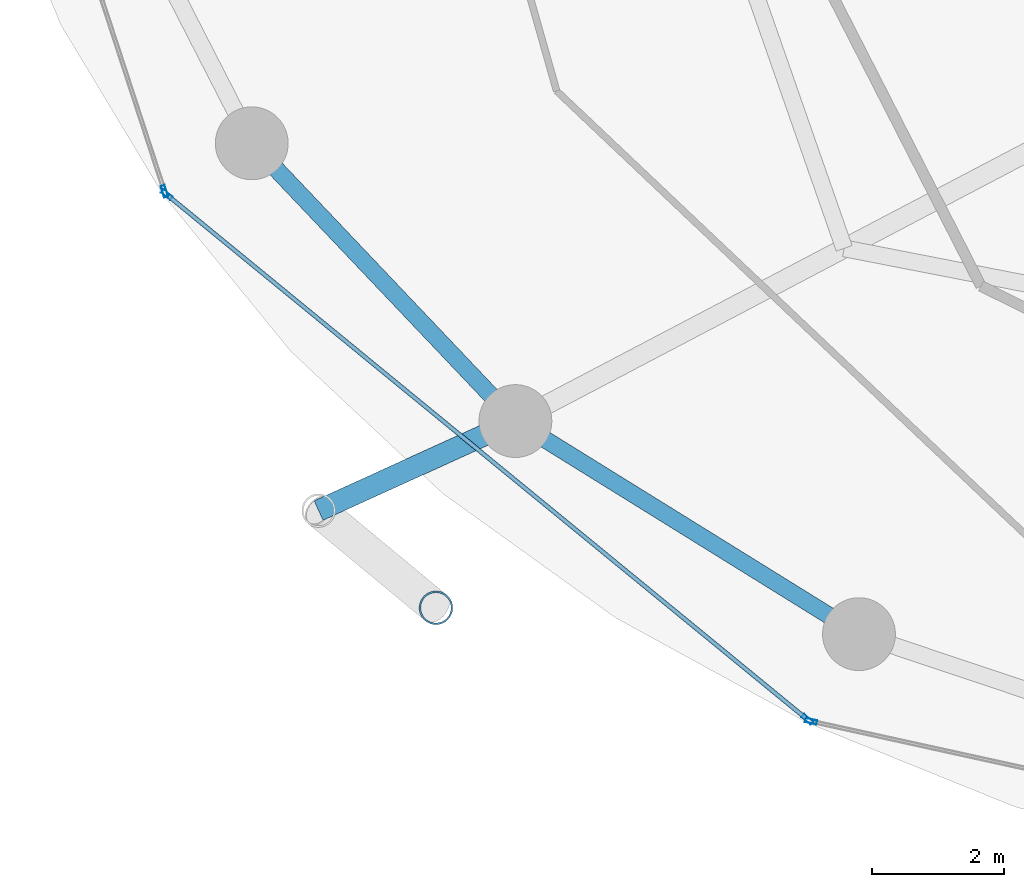
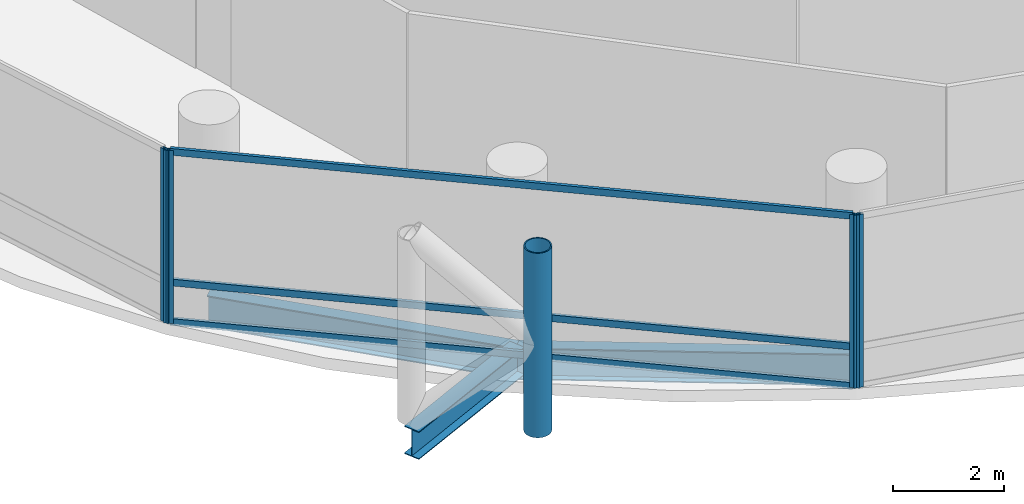
# One storey, part 2 of 24: 8 members, 3 beams, 3 elements without a shape of their own.
"""IFC4 building model written with IfcOpenShell, lengths in metres."""

from ifc_helpers import new_model, si_unit, direction, frame, origin, origin_2d, place, context, subcontext, project, spatial, hollow_rectangle, hollow_circle, i_section, extrude, material, layer, layer_set, material_profile, profile_set, type_object, element, aggregate, save


model = new_model("IFC4")

# Units and contexts
model_context = context("Model", 3, precision=1e-05, world=origin(), true_north=direction((0.0, 1.0)))
body_context = subcontext(model_context, "Body", "Model", "MODEL_VIEW")
ifc_project = project(units=[si_unit("LENGTHUNIT", "METRE"), si_unit("AREAUNIT", "SQUARE_METRE"), si_unit("VOLUMEUNIT", "CUBIC_METRE"), si_unit("PLANEANGLEUNIT", "RADIAN"), si_unit("MASSUNIT", "GRAM", prefix="KILO")], contexts=[model_context])

# Site, building, storey
site_placement = place(None, origin())
site = spatial("IfcSite", under=ifc_project, at=site_placement, CompositionType="ELEMENT")
building_placement = place(site_placement, origin())
building = spatial("IfcBuilding", under=site, at=building_placement, Name="Nuhasar Tower", CompositionType="ELEMENT")
storey_placement = place(building_placement, frame((0.0, 0.0, 69.60009765625)))
storey = spatial("IfcBuildingStorey", under=building, at=storey_placement, Name="L16", CompositionType="ELEMENT", Elevation=69.60009765625)

# Beams
ifc_material_1 = material(Name="Steel S355", Category="steel")
ifc_material_profile_1 = material_profile(ifc_material_1, i_section(OverallWidth=0.256103515625, OverallDepth=0.693115234375, WebThickness=0.014404296875, FlangeThickness=0.023681640625, at=origin_2d()), Name="W27X114")
ifc_profile_set_1 = profile_set([ifc_material_profile_1], Name="Steel S355")
beam_type_1 = type_object("IfcBeamType", Name="BM-RING-W27X114", PredefinedType="SPANDREL", material=ifc_profile_set_1)
beam_1_placement = place(storey_placement, frame((17.305908203125, 16.675048828125, -0.59716796875), z_axis=(0.688459812429, -0.725274490569, 0.0), x_axis=(0.725274490569, 0.688459812429, 0.0)))
element("IfcBeam", 1, at=beam_1_placement, inside=storey, type_object=beam_type_1, Name="L16 Perimeter Ring Spandrel 15", PredefinedType="SPANDREL", context=body_context, shape_type="SweptSolid", body=[
    extrude(i_section(OverallWidth=0.256103515625, OverallDepth=0.693115234375, WebThickness=0.014404296875, FlangeThickness=0.023681640625, at=origin_2d()), origin(), (0.0, 0.0, 1.0), 5.78271484375),
])
beam_2_placement = place(storey_placement, frame((21.287109375, 12.48095703125, -0.59716796875), z_axis=(0.849795216549, -0.527112976439, 0.0), x_axis=(0.527112976439, 0.849795216549, 0.0)))
element("IfcBeam", 2, at=beam_2_placement, inside=storey, type_object=beam_type_1, Name="L16 Perimeter Ring Spandrel 16", PredefinedType="SPANDREL", context=body_context, shape_type="SweptSolid", body=[
    extrude(i_section(OverallWidth=0.256103515625, OverallDepth=0.693115234375, WebThickness=0.014404296875, FlangeThickness=0.023681640625, at=origin_2d()), origin(), (0.0, 0.0, 1.0), 6.10498046875),
])
ifc_material_profile_2 = material_profile(ifc_material_1, i_section(OverallWidth=0.323974609375, OverallDepth=0.611083984375, WebThickness=0.0126953125, FlangeThickness=0.01904296875, at=origin_2d()), Name="W24X104")
ifc_profile_set_2 = profile_set([ifc_material_profile_2], Name="Steel S355")
beam_type_2 = type_object("IfcBeamType", Name="BM-TIE-W24X104", PredefinedType="BEAM", material=ifc_profile_set_2)
beam_3_placement = place(storey_placement, frame((21.287109375, 12.48095703125, -0.55615234375), z_axis=(-0.910243528587, -0.414073325227, 0.0), x_axis=(0.414073325227, -0.910243528587, 0.0)))
element("IfcBeam", 3, at=beam_3_placement, inside=storey, type_object=beam_type_2, Name="L16 Exoskeleton Node Tie Beam 08", PredefinedType="BEAM", context=body_context, shape_type="SweptSolid", body=[
    extrude(i_section(OverallWidth=0.323974609375, OverallDepth=0.611083984375, WebThickness=0.0126953125, FlangeThickness=0.01904296875, at=origin_2d()), origin(), (0.0, 0.0, 1.0), 3.26513671875),
])

# Curtain wall, member
ifc_material_2 = material(Name="Aluminium 6063-T6", Category="aluminium")
ifc_layer = layer(ifc_material_2, 0.199951171875)
ifc_layer_set = layer_set([ifc_layer], Name="Aluminium 6063-T6")
curtain_wall_type = type_object("IfcCurtainWallType", Name="CW-Z1-OFF", PredefinedType="NOTDEFINED", material=ifc_layer_set)
curtain_wall_1_placement = place(storey_placement, origin())
curtain_wall_1 = element("IfcCurtainWall", 4, at=curtain_wall_1_placement, inside=storey, type_object=curtain_wall_type, Name="L16 Unitised Curtain Wall 07", PredefinedType="NOTDEFINED")
ifc_material_profile_3 = material_profile(ifc_material_2, hollow_rectangle(XDim=0.06494140625, YDim=0.179931640625, WallThickness=0.0048828125, at=origin_2d()), Name="CWM-2")
ifc_profile_set_3 = profile_set([ifc_material_profile_3], Name="Aluminium 6063-T6")
member_type_1 = type_object("IfcMemberType", Name="CW-MUL-S2", PredefinedType="MULLION", material=ifc_profile_set_3)
member_1_placement = place(storey_placement, frame((15.98779296875, 15.950927734375, 0.0), z_axis=(0.0, 0.0, 1.0), x_axis=(0.950467534571, 0.310823849997, 0.0)))
member_1 = element("IfcMember", 5, at=member_1_placement, type_object=member_type_1, Name="CW-Z1 mullion 2", PredefinedType="MULLION", context=body_context, shape_type="SweptSolid", body=[
    extrude(hollow_rectangle(XDim=0.06494140625, YDim=0.179931640625, WallThickness=0.0048828125, at=origin_2d()), origin(), (0.0, 0.0, 1.0), 3.7998046875),
])
aggregate(curtain_wall_1, [member_1])

# Curtain wall, members
curtain_wall_2_placement = place(storey_placement, origin())
curtain_wall_2 = element("IfcCurtainWall", 6, at=curtain_wall_2_placement, inside=storey, type_object=curtain_wall_type, Name="L16 Unitised Curtain Wall 08", PredefinedType="NOTDEFINED")
member_2_placement = place(storey_placement, frame((16.023193359375, 15.8994140625, 0.0), z_axis=(0.0, 0.0, 1.0), x_axis=(0.633744593376, 0.773542364946, 0.0)))
member_2 = element("IfcMember", 7, at=member_2_placement, type_object=member_type_1, Name="CW-Z1 mullion 1", PredefinedType="MULLION", context=body_context, shape_type="SweptSolid", body=[
    extrude(hollow_rectangle(XDim=0.06494140625, YDim=0.179931640625, WallThickness=0.0048828125, at=origin_2d()), origin(), (0.0, 0.0, 1.0), 3.7998046875),
])
member_3_placement = place(storey_placement, frame((25.69482421875, 7.9755859375, 0.0), z_axis=(0.0, 0.0, 1.0), x_axis=(0.633744593376, 0.773542364946, 0.0)))
member_3 = element("IfcMember", 8, at=member_3_placement, type_object=member_type_1, Name="CW-Z1 mullion 2", PredefinedType="MULLION", context=body_context, shape_type="SweptSolid", body=[
    extrude(hollow_rectangle(XDim=0.06494140625, YDim=0.179931640625, WallThickness=0.0048828125, at=origin_2d()), origin(), (0.0, 0.0, 1.0), 3.7998046875),
])

# Curtain wall, member
curtain_wall_3_placement = place(storey_placement, origin())
curtain_wall_3 = element("IfcCurtainWall", 9, at=curtain_wall_3_placement, inside=storey, type_object=curtain_wall_type, Name="L16 Unitised Curtain Wall 09", PredefinedType="NOTDEFINED")
member_4_placement = place(storey_placement, frame((25.751708984375, 7.947998046875, 0.0), z_axis=(0.0, 0.0, 1.0), x_axis=(0.214398737637, 0.976746221544, 0.0)))
member_4 = element("IfcMember", 10, at=member_4_placement, type_object=member_type_1, Name="CW-Z1 mullion 1", PredefinedType="MULLION", context=body_context, shape_type="SweptSolid", body=[
    extrude(hollow_rectangle(XDim=0.06494140625, YDim=0.179931640625, WallThickness=0.0048828125, at=origin_2d()), origin(), (0.0, 0.0, 1.0), 3.7998046875),
])
aggregate(curtain_wall_3, [member_4])

# Member
ifc_material_profile_4 = material_profile(ifc_material_2, hollow_rectangle(XDim=0.06494140625, YDim=0.14990234375, WallThickness=0.00439453125, at=origin_2d()), Name="CWT-2")
ifc_profile_set_4 = profile_set([ifc_material_profile_4], Name="Aluminium 6063-T6")
member_type_2 = type_object("IfcMemberType", Name="CW-TRN-S2", PredefinedType="USERDEFINED", material=ifc_profile_set_4)
member_5_placement = place(storey_placement, frame((16.04833984375, 15.87890625, 0.032470703125), z_axis=(0.773531229158, -0.633758185365, 0.0), x_axis=(0.633758185365, 0.773531229158, 0.0)))
member_5 = element("IfcMember", 11, at=member_5_placement, type_object=member_type_2, Name="CW-Z1 transom 1.1", ObjectType="TRANSOM", PredefinedType="USERDEFINED", context=body_context, shape_type="SweptSolid", body=[
    extrude(hollow_rectangle(XDim=0.06494140625, YDim=0.14990234375, WallThickness=0.00439453125, at=origin_2d()), origin(), (0.0, 0.0, 1.0), 12.438232421875),
])

member_6_placement = place(storey_placement, frame((16.04833984375, 15.87890625, 0.89990234375), z_axis=(0.773531229158, -0.633758185365, 0.0), x_axis=(0.633758185365, 0.773531229158, 0.0)))
member_6 = element("IfcMember", 12, at=member_6_placement, type_object=member_type_2, Name="CW-Z1 transom 1.2", ObjectType="TRANSOM", PredefinedType="USERDEFINED", context=body_context, shape_type="SweptSolid", body=[
    extrude(hollow_rectangle(XDim=0.06494140625, YDim=0.14990234375, WallThickness=0.00439453125, at=origin_2d()), origin(), (0.0, 0.0, 1.0), 12.438232421875),
])

member_7_placement = place(storey_placement, frame((16.04833984375, 15.87890625, 3.767333984375), z_axis=(0.773531229158, -0.633758185365, 0.0), x_axis=(0.633758185365, 0.773531229158, 0.0)))
member_7 = element("IfcMember", 13, at=member_7_placement, type_object=member_type_2, Name="CW-Z1 transom 1.3", ObjectType="TRANSOM", PredefinedType="USERDEFINED", context=body_context, shape_type="SweptSolid", body=[
    extrude(hollow_rectangle(XDim=0.06494140625, YDim=0.14990234375, WallThickness=0.00439453125, at=origin_2d()), origin(), (0.0, 0.0, 1.0), 12.438232421875),
])

aggregate(curtain_wall_2, [member_2, member_3, member_5, member_6, member_7])

ifc_material_3 = material(Name="Steel S460", Category="steel")
ifc_material_profile_5 = material_profile(ifc_material_3, hollow_circle(Radius=0.25390625, WallThickness=0.025390625, at=origin_2d()), Name="HSS508X25.4")
ifc_profile_set_5 = profile_set([ifc_material_profile_5], Name="Steel S460")
member_type_3 = type_object("IfcMemberType", Name="EXO-BRONZE-508", PredefinedType="BRACE", material=ifc_profile_set_5)
member_8_placement = place(storey_placement, frame((20.0869140625, 9.660888671875, 0.0), z_axis=(0.0, 0.0, 1.0), x_axis=(1.0, 0.0, 0.0)))
element("IfcMember", 14, at=member_8_placement, inside=storey, type_object=member_type_3, Name="L16 Exoskeleton Chord Column EC-08B", PredefinedType="BRACE", context=body_context, shape_type="SweptSolid", body=[
    extrude(hollow_circle(Radius=0.25390625, WallThickness=0.025390625, at=origin_2d()), origin(), (0.0, 0.0, 1.0), 4.0498046875),
])

save(model, "model.ifc")
